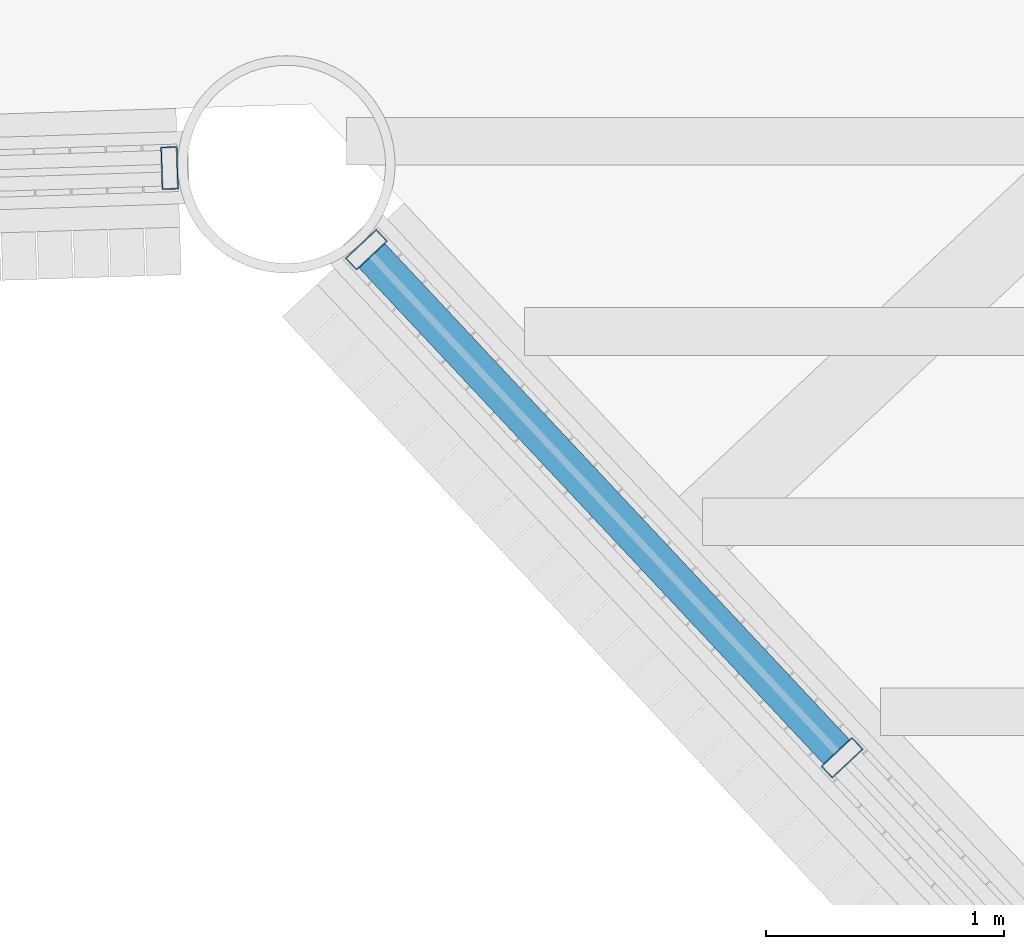
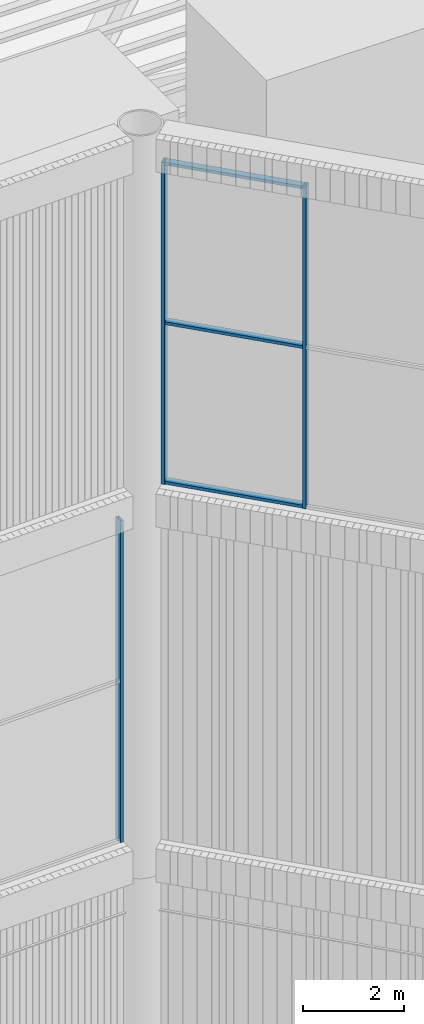
# One storey, part 30 of 117: 6 members, 2 elements without a shape of their own.
"""IFC4 building model written with IfcOpenShell, lengths in metres."""

from ifc_helpers import new_model, si_unit, direction, frame, origin, origin_2d, place, context, subcontext, project, spatial, hollow_rectangle, extrude, material, layer, layer_set, material_profile, profile_set, type_object, element, aggregate, save


model = new_model("IFC4")

# Units and contexts
model_context = context("Model", 3, precision=1e-05, world=origin(), true_north=direction((0.0, 1.0)))
body_context = subcontext(model_context, "Body", "Model", "MODEL_VIEW")
ifc_project = project(units=[si_unit("LENGTHUNIT", "METRE"), si_unit("AREAUNIT", "SQUARE_METRE"), si_unit("VOLUMEUNIT", "CUBIC_METRE"), si_unit("PLANEANGLEUNIT", "RADIAN"), si_unit("MASSUNIT", "GRAM", prefix="KILO")], contexts=[model_context])

# Site, building, storey
site_placement = place(None, origin())
site = spatial("IfcSite", under=ifc_project, at=site_placement, CompositionType="ELEMENT")
building_placement = place(site_placement, origin())
building = spatial("IfcBuilding", under=site, at=building_placement, Name="Tarsis Ring Headquarters", CompositionType="ELEMENT")
storey_placement = place(building_placement, frame((0.0, 0.0, 403.60009765625)))
storey = spatial("IfcBuildingStorey", under=building, at=storey_placement, Name="L95", CompositionType="ELEMENT", Elevation=403.60009765625)

# Curtain wall, member
ifc_material_1 = material(Name="Aluminium curtain wall", Category="aluminium")
ifc_layer = layer(ifc_material_1, 0.179931640625)
ifc_layer_set = layer_set([ifc_layer], Name="Curtain wall crown glazing")
curtain_wall_type = type_object("IfcCurtainWallType", Name="Curtain wall crown glazing", PredefinedType="NOTDEFINED", material=ifc_layer_set)
curtain_wall_1_placement = place(storey_placement, origin())
curtain_wall_1 = element("IfcCurtainWall", 1, at=curtain_wall_1_placement, inside=storey, type_object=curtain_wall_type, Name="Crown glazing L1", PredefinedType="NOTDEFINED")
ifc_material_2 = material(Name="Aluminium mullion", Category="aluminium")
ifc_material_profile_1 = material_profile(ifc_material_2, hollow_rectangle(XDim=0.179931640625, YDim=0.070068359375, WallThickness=0.0048828125, at=origin_2d()), Name="RHS 180x70x5")
ifc_profile_set_1 = profile_set([ifc_material_profile_1], Name="Aluminium mullion")
member_type_1 = type_object("IfcMemberType", Name="Crown glazing mullion RHS 180x70x5", PredefinedType="MULLION", material=ifc_profile_set_1)
member_1_placement = place(storey_placement, frame((5.79052734375, -28.37646484375, 5.7998046875), z_axis=(0.0, 0.0, 1.0), x_axis=(-0.031497755807, 0.999503822594, 0.0)))
member_1 = element("IfcMember", 2, at=member_1_placement, type_object=member_type_1, Name="CW-C mullion 4", PredefinedType="MULLION", context=body_context, shape_type="SweptSolid", body=[
    extrude(hollow_rectangle(XDim=0.179931640625, YDim=0.070068359375, WallThickness=0.0048828125, at=origin_2d()), origin(), (0.0, 0.0, 1.0), 7.800048828125),
])
aggregate(curtain_wall_1, [member_1])

# Curtain wall, members
curtain_wall_2_placement = place(storey_placement, origin())
curtain_wall_2 = element("IfcCurtainWall", 3, at=curtain_wall_2_placement, inside=storey, type_object=curtain_wall_type, Name="Crown glazing U2", PredefinedType="NOTDEFINED")
member_2_placement = place(storey_placement, frame((6.61865234375, -28.72021484375, 14.39990234375), z_axis=(0.0, 0.0, 1.0), x_axis=(0.729923743736, 0.68352858633, 0.0)))
member_2 = element("IfcMember", 4, at=member_2_placement, type_object=member_type_1, Name="CW-C mullion 1", PredefinedType="MULLION", context=body_context, shape_type="SweptSolid", body=[
    extrude(hollow_rectangle(XDim=0.179931640625, YDim=0.070068359375, WallThickness=0.0048828125, at=origin_2d()), origin(), (0.0, 0.0, 1.0), 7.800048828125),
])
member_3_placement = place(storey_placement, frame((8.620361328125, -30.857666015625, 14.39990234375), z_axis=(0.0, 0.0, 1.0), x_axis=(0.729923743736, 0.68352858633, 0.0)))
member_3 = element("IfcMember", 5, at=member_3_placement, type_object=member_type_1, Name="CW-C mullion 2", PredefinedType="MULLION", context=body_context, shape_type="SweptSolid", body=[
    extrude(hollow_rectangle(XDim=0.179931640625, YDim=0.070068359375, WallThickness=0.0048828125, at=origin_2d()), origin(), (0.0, 0.0, 1.0), 7.800048828125),
])
ifc_material_3 = material(Name="Aluminium transom", Category="aluminium")
ifc_material_profile_2 = material_profile(ifc_material_3, hollow_rectangle(XDim=0.14990234375, YDim=0.070068359375, WallThickness=0.0048828125, at=origin_2d()), Name="RHS 150x70x5")
ifc_profile_set_2 = profile_set([ifc_material_profile_2], Name="Aluminium transom")
member_type_2 = type_object("IfcMemberType", Name="Crown glazing transom RHS 150x70x5", PredefinedType="USERDEFINED", material=ifc_profile_set_2)
member_4_placement = place(storey_placement, frame((6.642578125, -28.74560546875, 14.434814453125), z_axis=(0.683494978248, -0.729955214181, 0.0), x_axis=(0.729955214181, 0.683494978248, 0.0)))
member_4 = element("IfcMember", 6, at=member_4_placement, type_object=member_type_2, Name="CW-C transom 1.1", ObjectType="TRANSOM", PredefinedType="USERDEFINED", context=body_context, shape_type="SweptSolid", body=[
    extrude(hollow_rectangle(XDim=0.14990234375, YDim=0.070068359375, WallThickness=0.0048828125, at=origin_2d()), origin(), (0.0, 0.0, 1.0), 2.858642578125),
])
member_5_placement = place(storey_placement, frame((6.642578125, -28.74560546875, 18.2998046875), z_axis=(0.683494978248, -0.729955214181, 0.0), x_axis=(0.729955214181, 0.683494978248, 0.0)))
member_5 = element("IfcMember", 7, at=member_5_placement, type_object=member_type_2, Name="CW-C transom 1.2", ObjectType="TRANSOM", PredefinedType="USERDEFINED", context=body_context, shape_type="SweptSolid", body=[
    extrude(hollow_rectangle(XDim=0.14990234375, YDim=0.070068359375, WallThickness=0.0048828125, at=origin_2d()), origin(), (0.0, 0.0, 1.0), 2.858642578125),
])
member_6_placement = place(storey_placement, frame((6.642578125, -28.74560546875, 22.164794921875), z_axis=(0.683494978248, -0.729955214181, 0.0), x_axis=(0.729955214181, 0.683494978248, 0.0)))
member_6 = element("IfcMember", 8, at=member_6_placement, type_object=member_type_2, Name="CW-C transom 1.3", ObjectType="TRANSOM", PredefinedType="USERDEFINED", context=body_context, shape_type="SweptSolid", body=[
    extrude(hollow_rectangle(XDim=0.14990234375, YDim=0.070068359375, WallThickness=0.0048828125, at=origin_2d()), origin(), (0.0, 0.0, 1.0), 2.858642578125),
])
aggregate(curtain_wall_2, [member_2, member_3, member_4, member_5, member_6])

save(model, "model.ifc")
